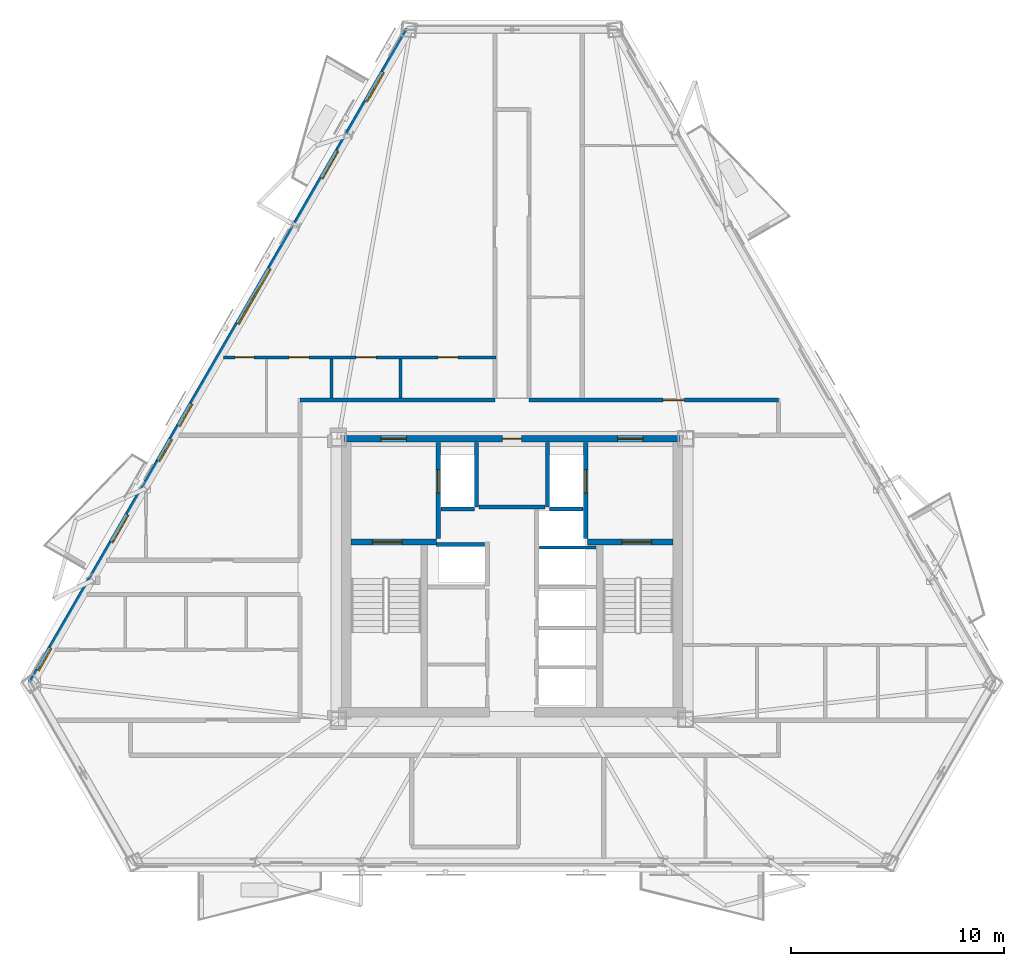
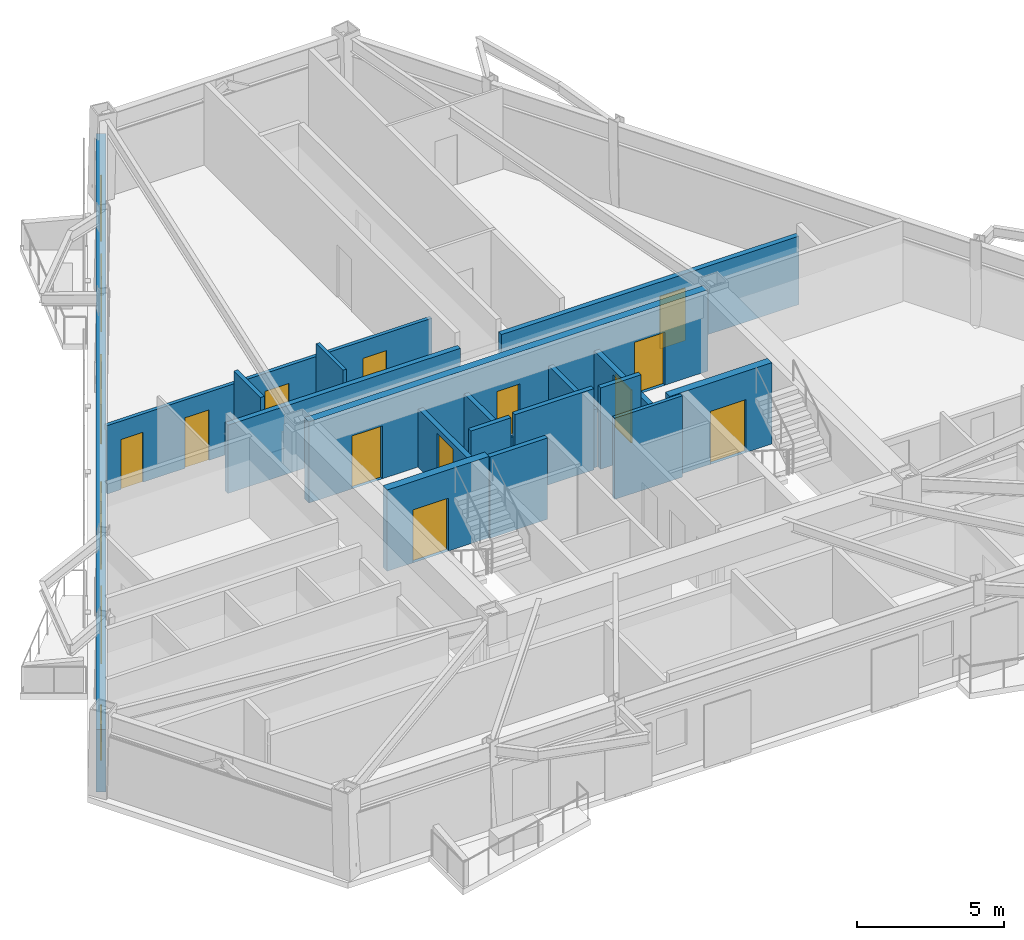
# One storey, part 4 of 9: 18 walls, 14 doors, 5 windows, 19 openings.
"""IFC4 building model written with IfcOpenShell, lengths in metres."""

from ifc_helpers import new_model, si_unit, direction, frame, frame_2d, origin, place, context, subcontext, project, spatial, rectangle, extrude, material, layer, layer_set, type_object, element, fill, save


model = new_model("IFC4")

# Units and contexts
model_context = context("Model", 3, precision=1e-05, world=origin(), true_north=direction((0.0, 1.0)))
body_context = subcontext(model_context, "Body", "Model", "MODEL_VIEW")
ifc_project = project(units=[si_unit("LENGTHUNIT", "METRE"), si_unit("AREAUNIT", "SQUARE_METRE"), si_unit("VOLUMEUNIT", "CUBIC_METRE"), si_unit("PLANEANGLEUNIT", "RADIAN"), si_unit("MASSUNIT", "GRAM", prefix="KILO")], contexts=[model_context])

# Site, building, storey
site_placement = place(None, origin())
site = spatial("IfcSite", under=ifc_project, at=site_placement, CompositionType="ELEMENT")
building_placement = place(site_placement, origin())
building = spatial("IfcBuilding", under=site, at=building_placement, Name="Oramaril Tower", CompositionType="ELEMENT")
storey_placement = place(building_placement, frame((0.0, 0.0, 145.800048828125)))
storey = spatial("IfcBuildingStorey", under=building, at=storey_placement, Name="L38", CompositionType="ELEMENT", Elevation=145.800048828125)

# Wall, openings, doors, windows
ifc_material_1 = material(Name="Warm Cream Limestone", Category="masonry")
ifc_layer_1 = layer(ifc_material_1, 0.340087890625)
ifc_layer_set_1 = layer_set([ifc_layer_1], Name="WT-EXT34")
wall_type_1 = type_object("IfcWallType", Name="WT-EXT34", PredefinedType="SOLIDWALL", material=ifc_layer_set_1)
wall_1_placement = place(storey_placement, frame((32.6494140625, 43.3408203125, 0.0), z_axis=(0.0, 0.0, 1.0), x_axis=(-0.500002412417, -0.86602401097, 0.0)))
wall_1 = element("IfcWall", 1, at=wall_1_placement, inside=storey, type_object=wall_type_1, Name="L38 Tower Limestone Facade Wall 6M", PredefinedType="SOLIDWALL", context=body_context, shape_type="SweptSolid", body=[
    extrude(rectangle(XDim=35.403564453125, YDim=0.340087890625, at=frame_2d((17.70166015625, 0.0))), origin(), (0.0, 0.0, 1.0), 2.599853515625),
])
opening_1_placement = place(wall_1_placement, frame((6.579345703125, 0.0, 0.0)))
opening_1 = element("IfcOpeningElement", 2, at=opening_1_placement, cuts=wall_1, Name="Opening D-L38-BAL-NW1", PredefinedType="OPENING", context=body_context, shape_type="SweptSolid", body=[
    extrude(rectangle(XDim=1.5, YDim=2.199951171875, at=frame_2d((0.75, 1.10009765625))), frame((0.0, 0.169921875, 0.0), z_axis=(0.0, -1.0, 0.0), x_axis=(1.0, 0.0, 0.0)), (0.0, 0.0, 1.0), 0.340087890625),
])
opening_2_placement = place(wall_1_placement, frame((26.2890625, 0.0, 0.0)))
opening_2 = element("IfcOpeningElement", 3, at=opening_2_placement, cuts=wall_1, Name="Opening D-L38-BAL-NW2", PredefinedType="OPENING", context=body_context, shape_type="SweptSolid", body=[
    extrude(rectangle(XDim=1.5, YDim=2.199951171875, at=frame_2d((0.75, 1.10009765625))), frame((0.0, 0.169921875, 0.0), z_axis=(0.0, -1.0, 0.0), x_axis=(1.0, 0.0, 0.0)), (0.0, 0.0, 1.0), 0.340087890625),
])
opening_3_placement = place(wall_1_placement, frame((22.1943359375, 0.0, 0.85009765625)))
opening_3 = element("IfcOpeningElement", 4, at=opening_3_placement, cuts=wall_1, Name="Opening WN-09", PredefinedType="OPENING", context=body_context, shape_type="SweptSolid", body=[
    extrude(rectangle(XDim=1.199951171875, YDim=1.47998046875, at=frame_2d((0.60009765625, 0.739990234375))), frame((0.0, 0.169921875, 0.0), z_axis=(0.0, -1.0, 0.0), x_axis=(1.0, 0.0, 0.0)), (0.0, 0.0, 1.0), 0.340087890625),
])
opening_4_placement = place(wall_1_placement, frame((2.31689453125, 0.0, 0.85009765625)))
opening_4 = element("IfcOpeningElement", 5, at=opening_4_placement, cuts=wall_1, Name="Opening WN-07", PredefinedType="OPENING", context=body_context, shape_type="SweptSolid", body=[
    extrude(rectangle(XDim=1.60009765625, YDim=1.639892578125, at=frame_2d((0.800048828125, 0.81982421875))), frame((0.0, 0.169921875, 0.0), z_axis=(0.0, -1.0, 0.0), x_axis=(1.0, 0.0, 0.0)), (0.0, 0.0, 1.0), 0.340087890625),
])
opening_5_placement = place(wall_1_placement, frame((12.951171875, 0.0, 0.85009765625)))
opening_5 = element("IfcOpeningElement", 6, at=opening_5_placement, cuts=wall_1, Name="Opening WN-10", PredefinedType="OPENING", context=body_context, shape_type="SweptSolid", body=[
    extrude(rectangle(XDim=3.0, YDim=1.639892578125, at=frame_2d((1.5, 0.81982421875))), frame((0.0, 0.169921875, 0.0), z_axis=(0.0, -1.0, 0.0), x_axis=(1.0, 0.0, 0.0)), (0.0, 0.0, 1.0), 0.340087890625),
])
opening_6_placement = place(wall_1_placement, frame((20.2822265625, 0.0, 0.85009765625)))
opening_6 = element("IfcOpeningElement", 7, at=opening_6_placement, cuts=wall_1, Name="Opening WN-09", PredefinedType="OPENING", context=body_context, shape_type="SweptSolid", body=[
    extrude(rectangle(XDim=1.199951171875, YDim=1.47998046875, at=frame_2d((0.60009765625, 0.739990234375))), frame((0.0, 0.169921875, 0.0), z_axis=(0.0, -1.0, 0.0), x_axis=(1.0, 0.0, 0.0)), (0.0, 0.0, 1.0), 0.340087890625),
])
opening_7_placement = place(wall_1_placement, frame((33.52392578125, 0.0, 0.85009765625)))
opening_7 = element("IfcOpeningElement", 8, at=opening_7_placement, cuts=wall_1, Name="Opening WN-09", PredefinedType="OPENING", context=body_context, shape_type="SweptSolid", body=[
    extrude(rectangle(XDim=1.199951171875, YDim=1.47998046875, at=frame_2d((0.60009765625, 0.739990234375))), frame((0.0, 0.169921875, 0.0), z_axis=(0.0, -1.0, 0.0), x_axis=(1.0, 0.0, 0.0)), (0.0, 0.0, 1.0), 0.340087890625),
])
ifc_material_2 = material(Name="Anodised Aluminium 6063-T6", Category="aluminium")
door_type_1 = type_object("IfcDoorType", Name="DT-BAL", OperationType="NOTDEFINED", PredefinedType="DOOR", material=ifc_material_2)
door_1_placement = place(opening_1_placement, origin())
door_1 = element("IfcDoor", 9, at=door_1_placement, inside=storey, type_object=door_type_1, Name="L38 Balcony Glazed Door L38-BAL-NW1", OperationType="SINGLE_SWING_LEFT", OverallHeight=2.199951171875, OverallWidth=1.5, PredefinedType="DOOR", context=body_context, shape_type="SweptSolid", body=[
    extrude(rectangle(XDim=1.5, YDim=2.199951171875, at=frame_2d((0.75, 1.10009765625))), frame((0.0, 0.02490234375, 0.0), z_axis=(0.0, -1.0, 0.0), x_axis=(1.0, 0.0, 0.0)), (0.0, 0.0, 1.0), 0.050048828125),
])
fill(opening_1, door_1)
door_2_placement = place(opening_2_placement, origin())
door_2 = element("IfcDoor", 10, at=door_2_placement, inside=storey, type_object=door_type_1, Name="L38 Balcony Glazed Door L38-BAL-NW2", OperationType="SINGLE_SWING_RIGHT", OverallHeight=2.199951171875, OverallWidth=1.5, PredefinedType="DOOR", context=body_context, shape_type="SweptSolid", body=[
    extrude(rectangle(XDim=1.5, YDim=2.199951171875, at=frame_2d((0.75, 1.10009765625))), frame((0.0, 0.02490234375, 0.0), z_axis=(0.0, -1.0, 0.0), x_axis=(1.0, 0.0, 0.0)), (0.0, 0.0, 1.0), 0.050048828125),
])
fill(opening_2, door_2)
ifc_material_3 = material(Name="Coastal Low-E Insulated Glass", Category="glass")
window_type_1 = type_object("IfcWindowType", Name="WNT-07", PartitioningType="SINGLE_PANEL", PredefinedType="WINDOW", material=ifc_material_3)
window_1_placement = place(opening_4_placement, origin())
window_1 = element("IfcWindow", 11, at=window_1_placement, inside=storey, type_object=window_type_1, Name="L38 Chicago Bay Window WN-07", OverallHeight=1.639892578125, OverallWidth=1.60009765625, PartitioningType="SINGLE_PANEL", PredefinedType="WINDOW", context=body_context, shape_type="SweptSolid", body=[
    extrude(rectangle(XDim=1.60009765625, YDim=1.639892578125, at=frame_2d((0.800048828125, 0.81982421875))), frame((0.0, 0.030029296875, 0.0), z_axis=(0.0, -1.0, 0.0), x_axis=(1.0, 0.0, 0.0)), (0.0, 0.0, 1.0), 0.06005859375),
])
fill(opening_4, window_1)
ifc_material_4 = material(Name="Coastal Low-E Insulated Glass", Category="glass")
window_type_2 = type_object("IfcWindowType", Name="WNT-09", PartitioningType="SINGLE_PANEL", PredefinedType="WINDOW", material=ifc_material_4)
window_2_placement = place(opening_3_placement, origin())
window_2 = element("IfcWindow", 12, at=window_2_placement, inside=storey, type_object=window_type_2, Name="L38 Chicago Bay Window WN-09", OverallHeight=1.47998046875, OverallWidth=1.199951171875, PartitioningType="SINGLE_PANEL", PredefinedType="WINDOW", context=body_context, shape_type="SweptSolid", body=[
    extrude(rectangle(XDim=1.199951171875, YDim=1.47998046875, at=frame_2d((0.60009765625, 0.739990234375))), frame((0.0, 0.030029296875, 0.0), z_axis=(0.0, -1.0, 0.0), x_axis=(1.0, 0.0, 0.0)), (0.0, 0.0, 1.0), 0.06005859375),
])
fill(opening_3, window_2)
window_3_placement = place(opening_6_placement, origin())
window_3 = element("IfcWindow", 13, at=window_3_placement, inside=storey, type_object=window_type_2, Name="L38 Chicago Bay Window WN-09", OverallHeight=1.47998046875, OverallWidth=1.199951171875, PartitioningType="SINGLE_PANEL", PredefinedType="WINDOW", context=body_context, shape_type="SweptSolid", body=[
    extrude(rectangle(XDim=1.199951171875, YDim=1.47998046875, at=frame_2d((0.60009765625, 0.739990234375))), frame((0.0, 0.030029296875, 0.0), z_axis=(0.0, -1.0, 0.0), x_axis=(1.0, 0.0, 0.0)), (0.0, 0.0, 1.0), 0.06005859375),
])
fill(opening_6, window_3)
window_4_placement = place(opening_7_placement, origin())
window_4 = element("IfcWindow", 14, at=window_4_placement, inside=storey, type_object=window_type_2, Name="L38 Apartment Bedroom Window WN-09", OverallHeight=1.47998046875, OverallWidth=1.199951171875, PartitioningType="SINGLE_PANEL", PredefinedType="WINDOW", context=body_context, shape_type="SweptSolid", body=[
    extrude(rectangle(XDim=1.199951171875, YDim=1.47998046875, at=frame_2d((0.60009765625, 0.739990234375))), frame((0.0, 0.030029296875, 0.0), z_axis=(0.0, -1.0, 0.0), x_axis=(1.0, 0.0, 0.0)), (0.0, 0.0, 1.0), 0.06005859375),
])
fill(opening_7, window_4)
ifc_material_5 = material(Name="Coastal Low-E Insulated Glass", Category="glass")
window_type_3 = type_object("IfcWindowType", Name="WNT-10", PartitioningType="SINGLE_PANEL", PredefinedType="WINDOW", material=ifc_material_5)
window_5_placement = place(opening_5_placement, origin())
window_5 = element("IfcWindow", 15, at=window_5_placement, inside=storey, type_object=window_type_3, Name="L38 Chicago Bay Window WN-10", OverallHeight=1.639892578125, OverallWidth=3.0, PartitioningType="SINGLE_PANEL", PredefinedType="WINDOW", context=body_context, shape_type="SweptSolid", body=[
    extrude(rectangle(XDim=3.0, YDim=1.639892578125, at=frame_2d((1.5, 0.81982421875))), frame((0.0, 0.030029296875, 0.0), z_axis=(0.0, -1.0, 0.0), x_axis=(1.0, 0.0, 0.0)), (0.0, 0.0, 1.0), 0.06005859375),
])
fill(opening_5, window_5)

# Wall
ifc_material_6 = material(Name="Acoustic Gypsum Board Partition")
ifc_layer_2 = layer(ifc_material_6, 0.139892578125)
ifc_layer_set_2 = layer_set([ifc_layer_2], Name="WT-PT14")
wall_type_2 = type_object("IfcWallType", Name="WT-PT14", PredefinedType="PARTITIONING", material=ifc_layer_set_2)
wall_2_placement = place(storey_placement, frame((38.780029296875, 19.050048828125, 0.0), z_axis=(0.0, 0.0, 1.0), x_axis=(1.0, 0.0, 0.0)))
element("IfcWall", 16, at=wall_2_placement, inside=storey, type_object=wall_type_2, Name="L38 East Lift Divider", PredefinedType="PARTITIONING", context=body_context, shape_type="SweptSolid", body=[
    extrude(rectangle(XDim=2.659912109375, YDim=0.139892578125, at=frame_2d((1.330078125, 0.0))), origin(), (0.0, 0.0, 1.0), 3.3798828125),
])

# Wall, openings, doors
wall_3_placement = place(storey_placement, frame((23.975830078125, 27.969970703125, 0.0), z_axis=(0.0, 0.0, 1.0), x_axis=(1.0, 0.0, 0.0)))
wall_3 = element("IfcWall", 17, at=wall_3_placement, inside=storey, type_object=wall_type_2, Name="L38 Interior Partition PT-14", PredefinedType="PARTITIONING", context=body_context, shape_type="SweptSolid", body=[
    extrude(rectangle(XDim=12.774169921875, YDim=0.139892578125, at=frame_2d((6.38720703125, 0.0))), origin(), (0.0, 0.0, 1.0), 2.842041015625),
])
opening_8_placement = place(wall_3_placement, frame((0.533203125, 0.0, 0.0)))
opening_8 = element("IfcOpeningElement", 18, at=opening_8_placement, cuts=wall_3, Name="Opening D-L38-16", PredefinedType="OPENING", context=body_context, shape_type="SweptSolid", body=[
    extrude(rectangle(XDim=0.8798828125, YDim=2.080078125, at=frame_2d((0.43994140625, 1.0400390625))), frame((0.0, 0.06982421875, 0.0), z_axis=(0.0, -1.0, 0.0), x_axis=(1.0, 0.0, 0.0)), (0.0, 0.0, 1.0), 0.139892578125),
])
opening_9_placement = place(wall_3_placement, frame((3.05419921875, 0.0, 0.0)))
opening_9 = element("IfcOpeningElement", 19, at=opening_9_placement, cuts=wall_3, Name="Opening D-L38-17", PredefinedType="OPENING", context=body_context, shape_type="SweptSolid", body=[
    extrude(rectangle(XDim=0.949951171875, YDim=2.10009765625, at=frame_2d((0.47509765625, 1.050048828125))), frame((0.0, 0.06982421875, 0.0), z_axis=(0.0, -1.0, 0.0), x_axis=(1.0, 0.0, 0.0)), (0.0, 0.0, 1.0), 0.139892578125),
])
opening_10_placement = place(wall_3_placement, frame((6.1962890625, 0.0, 0.0)))
opening_10 = element("IfcOpeningElement", 20, at=opening_10_placement, cuts=wall_3, Name="Opening D-L38-18", PredefinedType="OPENING", context=body_context, shape_type="SweptSolid", body=[
    extrude(rectangle(XDim=0.949951171875, YDim=2.10009765625, at=frame_2d((0.47509765625, 1.050048828125))), frame((0.0, 0.06982421875, 0.0), z_axis=(0.0, -1.0, 0.0), x_axis=(1.0, 0.0, 0.0)), (0.0, 0.0, 1.0), 0.139892578125),
])
opening_11_placement = place(wall_3_placement, frame((10.061279296875, 0.0, 0.0)))
opening_11 = element("IfcOpeningElement", 21, at=opening_11_placement, cuts=wall_3, Name="Opening D-L38-19", PredefinedType="OPENING", context=body_context, shape_type="SweptSolid", body=[
    extrude(rectangle(XDim=0.919921875, YDim=2.1201171875, at=frame_2d((0.4599609375, 1.06005859375))), frame((0.0, 0.06982421875, 0.0), z_axis=(0.0, -1.0, 0.0), x_axis=(1.0, 0.0, 0.0)), (0.0, 0.0, 1.0), 0.139892578125),
])
ifc_material_7 = material(Name="FSC Brazilian Freijo Hardwood", Category="wood")
door_type_2 = type_object("IfcDoorType", Name="DT-BATH", OperationType="NOTDEFINED", PredefinedType="DOOR", material=ifc_material_7)
door_3_placement = place(opening_8_placement, origin())
door_3 = element("IfcDoor", 22, at=door_3_placement, inside=storey, type_object=door_type_2, Name="L38 Flat L38-U6 Bathroom Door D-L38-16", OperationType="SINGLE_SWING_RIGHT", OverallHeight=2.080078125, OverallWidth=0.8798828125, PredefinedType="DOOR", context=body_context, shape_type="SweptSolid", body=[
    extrude(rectangle(XDim=0.8798828125, YDim=2.080078125, at=frame_2d((0.43994140625, 1.0400390625))), frame((0.0, 0.02490234375, 0.0), z_axis=(0.0, -1.0, 0.0), x_axis=(1.0, 0.0, 0.0)), (0.0, 0.0, 1.0), 0.050048828125),
])
fill(opening_8, door_3)
ifc_material_8 = material(Name="FSC Brazilian Freijo Hardwood", Category="wood")
door_type_3 = type_object("IfcDoorType", Name="DT-BED", OperationType="NOTDEFINED", PredefinedType="DOOR", material=ifc_material_8)
door_4_placement = place(opening_11_placement, origin())
door_4 = element("IfcDoor", 23, at=door_4_placement, inside=storey, type_object=door_type_3, Name="L38 Flat L38-U6 Master Bedroom Door D-L38-19", OperationType="SINGLE_SWING_LEFT", OverallHeight=2.1201171875, OverallWidth=0.919921875, PredefinedType="DOOR", context=body_context, shape_type="SweptSolid", body=[
    extrude(rectangle(XDim=0.919921875, YDim=2.1201171875, at=frame_2d((0.4599609375, 1.06005859375))), frame((0.0, 0.02490234375, 0.0), z_axis=(0.0, -1.0, 0.0), x_axis=(1.0, 0.0, 0.0)), (0.0, 0.0, 1.0), 0.050048828125),
])
fill(opening_11, door_4)
ifc_material_9 = material(Name="FSC Brazilian Freijo Hardwood", Category="wood")
door_type_4 = type_object("IfcDoorType", Name="DT-STDY", OperationType="NOTDEFINED", PredefinedType="DOOR", material=ifc_material_9)
door_5_placement = place(opening_9_placement, origin())
door_5 = element("IfcDoor", 24, at=door_5_placement, inside=storey, type_object=door_type_4, Name="L38 Flat L38-U6 Kitchen Door D-L38-17", OperationType="SINGLE_SWING_LEFT", OverallHeight=2.10009765625, OverallWidth=0.949951171875, PredefinedType="DOOR", context=body_context, shape_type="SweptSolid", body=[
    extrude(rectangle(XDim=0.949951171875, YDim=2.10009765625, at=frame_2d((0.47509765625, 1.050048828125))), frame((0.0, 0.02490234375, 0.0), z_axis=(0.0, -1.0, 0.0), x_axis=(1.0, 0.0, 0.0)), (0.0, 0.0, 1.0), 0.050048828125),
])
fill(opening_9, door_5)
door_6_placement = place(opening_10_placement, origin())
door_6 = element("IfcDoor", 25, at=door_6_placement, inside=storey, type_object=door_type_4, Name="L38 Flat L38-U6 Home Office Door D-L38-18", OperationType="SINGLE_SWING_RIGHT", OverallHeight=2.10009765625, OverallWidth=0.949951171875, PredefinedType="DOOR", context=body_context, shape_type="SweptSolid", body=[
    extrude(rectangle(XDim=0.949951171875, YDim=2.10009765625, at=frame_2d((0.47509765625, 1.050048828125))), frame((0.0, 0.02490234375, 0.0), z_axis=(0.0, -1.0, 0.0), x_axis=(1.0, 0.0, 0.0)), (0.0, 0.0, 1.0), 0.050048828125),
])
fill(opening_10, door_6)

# Walls
wall_4_placement = place(storey_placement, frame((32.260009765625, 26.073974609375, 0.0), z_axis=(0.0, 0.0, 1.0), x_axis=(0.0, 1.0, 0.0)))
element("IfcWall", 26, at=wall_4_placement, inside=storey, type_object=wall_type_2, Name="L38 Interior Partition PT-14", PredefinedType="PARTITIONING", context=body_context, shape_type="SweptSolid", body=[
    extrude(rectangle(XDim=1.822021484375, YDim=0.139892578125, at=frame_2d((0.9111328125, 0.0))), origin(), (0.0, 0.0, 1.0), 3.3798828125),
])
ifc_material_10 = material(Name="Acoustic Gypsum Board Partition")
ifc_layer_3 = layer(ifc_material_10, 0.159912109375)
ifc_layer_set_3 = layer_set([ifc_layer_3], Name="WT-PT16")
wall_type_3 = type_object("IfcWallType", Name="WT-PT16", PredefinedType="PARTITIONING", material=ifc_layer_set_3)
wall_5_placement = place(storey_placement, frame((29.030029296875, 26.073974609375, 0.0), z_axis=(0.0, 0.0, 1.0), x_axis=(0.0, 1.0, 0.0)))
element("IfcWall", 27, at=wall_5_placement, inside=storey, type_object=wall_type_3, Name="L38 Interior Partition PT-16", PredefinedType="PARTITIONING", context=body_context, shape_type="SweptSolid", body=[
    extrude(rectangle(XDim=1.822021484375, YDim=0.159912109375, at=frame_2d((0.9111328125, 0.0))), origin(), (0.0, 0.0, 1.0), 3.3798828125),
])
ifc_material_11 = material(Name="Autoclaved Cellular Concrete Block", Category="concrete")
ifc_layer_4 = layer(ifc_material_11, 0.179931640625)
ifc_layer_set_4 = layer_set([ifc_layer_4], Name="WT-PT18")
wall_type_4 = type_object("IfcWallType", Name="WT-PT18", PredefinedType="PARTITIONING", material=ifc_layer_set_4)
wall_6_placement = place(storey_placement, frame((35.840087890625, 20.9599609375, 0.0), z_axis=(0.0, 0.0, 1.0), x_axis=(0.0, 1.0, 0.0)))
element("IfcWall", 28, at=wall_6_placement, inside=storey, type_object=wall_type_4, Name="L38 FL-1 East Shaft Wall", PredefinedType="PARTITIONING", context=body_context, shape_type="SweptSolid", body=[
    extrude(rectangle(XDim=3.02001953125, YDim=0.179931640625, at=frame_2d((1.510009765625, 0.0))), origin(), (0.0, 0.0, 1.0), 2.419921875),
])
wall_7_placement = place(storey_placement, frame((34.159912109375, 20.860107421875, 0.0), z_axis=(0.0, 0.0, 1.0), x_axis=(1.0, 0.0, 0.0)))
element("IfcWall", 29, at=wall_7_placement, inside=storey, type_object=wall_type_4, Name="L38 FL-1 South Shaft Wall", PredefinedType="PARTITIONING", context=body_context, shape_type="SweptSolid", body=[
    extrude(rectangle(XDim=1.580078125, YDim=0.179931640625, at=frame_2d((0.7900390625, 0.0))), origin(), (0.0, 0.0, 1.0), 3.3798828125),
])
wall_8_placement = place(storey_placement, frame((39.159912109375, 20.9599609375, 0.0), z_axis=(0.0, 0.0, 1.0), x_axis=(0.0, 1.0, 0.0)))
element("IfcWall", 30, at=wall_8_placement, inside=storey, type_object=wall_type_4, Name="L38 FL-2 West Shaft Wall", PredefinedType="PARTITIONING", context=body_context, shape_type="SweptSolid", body=[
    extrude(rectangle(XDim=3.02001953125, YDim=0.179931640625, at=frame_2d((1.510009765625, 0.0))), origin(), (0.0, 0.0, 1.0), 2.419921875),
])
wall_9_placement = place(storey_placement, frame((39.260009765625, 20.860107421875, 0.0), z_axis=(0.0, 0.0, 1.0), x_axis=(1.0, 0.0, 0.0)))
element("IfcWall", 31, at=wall_9_placement, inside=storey, type_object=wall_type_4, Name="L38 FL-2 South Shaft Wall", PredefinedType="PARTITIONING", context=body_context, shape_type="SweptSolid", body=[
    extrude(rectangle(XDim=1.580078125, YDim=0.179931640625, at=frame_2d((0.7900390625, 0.0))), origin(), (0.0, 0.0, 1.0), 3.3798828125),
])
wall_10_placement = place(storey_placement, frame((33.949951171875, 19.199951171875, 0.0), z_axis=(0.0, 0.0, 1.0), x_axis=(1.0, 0.0, 0.0)))
element("IfcWall", 32, at=wall_10_placement, inside=storey, type_object=wall_type_4, Name="L38 High-Rise Lift H1 North Shaft Wall", PredefinedType="PARTITIONING", context=body_context, shape_type="SweptSolid", body=[
    extrude(rectangle(XDim=2.27001953125, YDim=0.179931640625, at=frame_2d((1.135009765625, 0.0))), origin(), (0.0, 0.0, 1.0), 3.3798828125),
])
wall_11_placement = place(storey_placement, frame((35.949951171875, 20.949951171875, 0.0), z_axis=(0.0, 0.0, 1.0), x_axis=(1.0, 0.0, 0.0)))
element("IfcWall", 33, at=wall_11_placement, inside=storey, type_object=wall_type_4, Name="L38 Lift Lobby North Partition", PredefinedType="PARTITIONING", context=body_context, shape_type="SweptSolid", body=[
    extrude(rectangle(XDim=3.10009765625, YDim=0.179931640625, at=frame_2d((1.550048828125, 0.0))), origin(), (0.0, 0.0, 1.0), 3.3798828125),
])
ifc_material_12 = material(Name="Autoclaved Cellular Concrete Block", Category="concrete")
ifc_layer_5 = layer(ifc_material_12, 0.199951171875)
ifc_layer_set_5 = layer_set([ifc_layer_5], Name="WT-PT20")
wall_type_5 = type_object("IfcWallType", Name="WT-PT20", PredefinedType="PARTITIONING", material=ifc_layer_set_5)
wall_12_placement = place(storey_placement, frame((27.550048828125, 25.969970703125, 0.0), z_axis=(0.0, 0.0, 1.0), x_axis=(1.0, 0.0, 0.0)))
element("IfcWall", 34, at=wall_12_placement, inside=storey, type_object=wall_type_5, Name="L38 Interior Partition PT-20", PredefinedType="PARTITIONING", context=body_context, shape_type="SweptSolid", body=[
    extrude(rectangle(XDim=9.14990234375, YDim=0.199951171875, at=frame_2d((4.574951171875, 0.0))), origin(), (0.0, 0.0, 1.0), 2.842041015625),
])

# Wall, opening, door
wall_13_placement = place(storey_placement, frame((38.300048828125, 25.969970703125, 0.0), z_axis=(0.0, 0.0, 1.0), x_axis=(1.0, 0.0, 0.0)))
wall_13 = element("IfcWall", 35, at=wall_13_placement, inside=storey, type_object=wall_type_5, Name="L38 Interior Partition PT-20", PredefinedType="PARTITIONING", context=body_context, shape_type="SweptSolid", body=[
    extrude(rectangle(XDim=11.699951171875, YDim=0.199951171875, at=frame_2d((5.85009765625, 0.0))), origin(), (0.0, 0.0, 1.0), 2.842041015625),
])
opening_12_placement = place(wall_13_placement, frame((6.2841796875, 0.0, 0.0)))
opening_12 = element("IfcOpeningElement", 36, at=opening_12_placement, cuts=wall_13, Name="Opening D-L38-15", PredefinedType="OPENING", context=body_context, shape_type="SweptSolid", body=[
    extrude(rectangle(XDim=1.0, YDim=2.179931640625, at=frame_2d((0.5, 1.08984375))), frame((0.0, 0.10009765625, 0.0), z_axis=(0.0, -1.0, 0.0), x_axis=(1.0, 0.0, 0.0)), (0.0, 0.0, 1.0), 0.199951171875),
])
ifc_material_13 = material(Name="FSC Brazilian Freijo Hardwood", Category="wood")
door_type_5 = type_object("IfcDoorType", Name="DT-APT", OperationType="NOTDEFINED", PredefinedType="DOOR", material=ifc_material_13)
door_7_placement = place(opening_12_placement, origin())
door_7 = element("IfcDoor", 37, at=door_7_placement, inside=storey, type_object=door_type_5, Name="L38 Flat L38-U8 Kitchen and Studio Apartment Door D-L38-15", OperationType="SINGLE_SWING_LEFT", OverallHeight=2.179931640625, OverallWidth=1.0, PredefinedType="DOOR", context=body_context, shape_type="SweptSolid", body=[
    extrude(rectangle(XDim=1.0, YDim=2.179931640625, at=frame_2d((0.5, 1.08984375))), frame((0.0, 0.02490234375, 0.0), z_axis=(0.0, -1.0, 0.0), x_axis=(1.0, 0.0, 0.0)), (0.0, 0.0, 1.0), 0.050048828125),
])
fill(opening_12, door_7)

# Wall, openings, doors
ifc_material_14 = material(Name="Concrete C50/60", Category="concrete")
ifc_layer_6 = layer(ifc_material_14, 0.300048828125)
ifc_layer_set_6 = layer_set([ifc_layer_6], Name="WT-SH30")
wall_type_6 = type_object("IfcWallType", Name="WT-SH30", PredefinedType="SHEAR", material=ifc_layer_set_6)
wall_14_placement = place(storey_placement, frame((29.64990234375, 24.14990234375, 0.0), z_axis=(0.0, 0.0, 1.0), x_axis=(1.0, 0.0, 0.0)))
wall_14 = element("IfcWall", 38, at=wall_14_placement, inside=storey, type_object=wall_type_6, Name="L38 Core Shear Wall CW-N", PredefinedType="SHEAR", context=body_context, shape_type="SweptSolid", body=[
    extrude(rectangle(XDim=15.7001953125, YDim=0.300048828125, at=frame_2d((7.85009765625, 0.0))), origin(), (0.0, 0.0, 1.0), 3.3798828125),
])
opening_13_placement = place(wall_14_placement, frame((1.699951171875, 0.0, 0.0)))
opening_13 = element("IfcOpeningElement", 39, at=opening_13_placement, cuts=wall_14, Name="Opening D-L38-FFL1", PredefinedType="OPENING", context=body_context, shape_type="SweptSolid", body=[
    extrude(rectangle(XDim=1.199951171875, YDim=2.199951171875, at=frame_2d((0.60009765625, 1.10009765625))), frame((0.0, 0.14990234375, 0.0), z_axis=(0.0, -1.0, 0.0), x_axis=(1.0, 0.0, 0.0)), (0.0, 0.0, 1.0), 0.300048828125),
])
opening_14_placement = place(wall_14_placement, frame((12.800048828125, 0.0, 0.0)))
opening_14 = element("IfcOpeningElement", 40, at=opening_14_placement, cuts=wall_14, Name="Opening D-L38-FFL2", PredefinedType="OPENING", context=body_context, shape_type="SweptSolid", body=[
    extrude(rectangle(XDim=1.199951171875, YDim=2.199951171875, at=frame_2d((0.60009765625, 1.10009765625))), frame((0.0, 0.14990234375, 0.0), z_axis=(0.0, -1.0, 0.0), x_axis=(1.0, 0.0, 0.0)), (0.0, 0.0, 1.0), 0.300048828125),
])
opening_15_placement = place(wall_14_placement, frame((7.39990234375, 0.0, 0.0)))
opening_15 = element("IfcOpeningElement", 41, at=opening_15_placement, cuts=wall_14, Name="Opening D-L38-SV1", PredefinedType="OPENING", context=body_context, shape_type="SweptSolid", body=[
    extrude(rectangle(XDim=0.89990234375, YDim=2.050048828125, at=frame_2d((0.449951171875, 1.02490234375))), frame((0.0, 0.14990234375, 0.0), z_axis=(0.0, -1.0, 0.0), x_axis=(1.0, 0.0, 0.0)), (0.0, 0.0, 1.0), 0.300048828125),
])
ifc_material_15 = material(Name="Painted Galvanised Steel", Category="steel")
door_type_6 = type_object("IfcDoorType", Name="DT-FFL", OperationType="NOTDEFINED", PredefinedType="DOOR", material=ifc_material_15)
door_8_placement = place(opening_13_placement, origin())
door_8 = element("IfcDoor", 42, at=door_8_placement, inside=storey, type_object=door_type_6, Name="L38 Firefighting Lobby 1 Fire Door", OperationType="SINGLE_SWING_LEFT", OverallHeight=2.199951171875, OverallWidth=1.199951171875, PredefinedType="DOOR", context=body_context, shape_type="SweptSolid", body=[
    extrude(rectangle(XDim=1.199951171875, YDim=2.199951171875, at=frame_2d((0.60009765625, 1.10009765625))), frame((0.0, 0.02490234375, 0.0), z_axis=(0.0, -1.0, 0.0), x_axis=(1.0, 0.0, 0.0)), (0.0, 0.0, 1.0), 0.050048828125),
])
fill(opening_13, door_8)
door_9_placement = place(opening_14_placement, origin())
door_9 = element("IfcDoor", 43, at=door_9_placement, inside=storey, type_object=door_type_6, Name="L38 Firefighting Lobby 2 Fire Door", OperationType="SINGLE_SWING_RIGHT", OverallHeight=2.199951171875, OverallWidth=1.199951171875, PredefinedType="DOOR", context=body_context, shape_type="SweptSolid", body=[
    extrude(rectangle(XDim=1.199951171875, YDim=2.199951171875, at=frame_2d((0.60009765625, 1.10009765625))), frame((0.0, 0.02490234375, 0.0), z_axis=(0.0, -1.0, 0.0), x_axis=(1.0, 0.0, 0.0)), (0.0, 0.0, 1.0), 0.050048828125),
])
fill(opening_14, door_9)
ifc_material_16 = material(Name="Painted Galvanised Steel", Category="steel")
door_type_7 = type_object("IfcDoorType", Name="DT-SVC", OperationType="NOTDEFINED", PredefinedType="DOOR", material=ifc_material_16)
door_10_placement = place(opening_15_placement, origin())
door_10 = element("IfcDoor", 44, at=door_10_placement, inside=storey, type_object=door_type_7, Name="L38 Core Janitor Store Door", OperationType="SINGLE_SWING_LEFT", OverallHeight=2.050048828125, OverallWidth=0.89990234375, PredefinedType="DOOR", context=body_context, shape_type="SweptSolid", body=[
    extrude(rectangle(XDim=0.89990234375, YDim=2.050048828125, at=frame_2d((0.449951171875, 1.02490234375))), frame((0.0, 0.02490234375, 0.0), z_axis=(0.0, -1.0, 0.0), x_axis=(1.0, 0.0, 0.0)), (0.0, 0.0, 1.0), 0.050048828125),
])
fill(opening_15, door_10)

# Wall, opening, door
wall_15_placement = place(storey_placement, frame((29.93994140625, 19.31005859375, 0.0), z_axis=(0.0, 0.0, 1.0), x_axis=(1.0, 0.0, 0.0)))
wall_15 = element("IfcWall", 45, at=wall_15_placement, inside=storey, type_object=wall_type_6, Name="L38 Core Shear Wall CW-ST1N", PredefinedType="SHEAR", context=body_context, shape_type="SweptSolid", body=[
    extrude(rectangle(XDim=4.010009765625, YDim=0.300048828125, at=frame_2d((2.0048828125, 0.0))), origin(), (0.0, 0.0, 1.0), 3.3798828125),
])
opening_16_placement = place(wall_15_placement, frame((1.010009765625, 0.0, 0.0)))
opening_16 = element("IfcOpeningElement", 46, at=opening_16_placement, cuts=wall_15, Name="Opening D-L38-ST1", PredefinedType="OPENING", context=body_context, shape_type="SweptSolid", body=[
    extrude(rectangle(XDim=1.39990234375, YDim=2.199951171875, at=frame_2d((0.699951171875, 1.10009765625))), frame((0.0, 0.14990234375, 0.0), z_axis=(0.0, -1.0, 0.0), x_axis=(1.0, 0.0, 0.0)), (0.0, 0.0, 1.0), 0.300048828125),
])
ifc_material_17 = material(Name="Painted Galvanised Steel", Category="steel")
door_type_8 = type_object("IfcDoorType", Name="DT-ST", OperationType="NOTDEFINED", PredefinedType="DOOR", material=ifc_material_17)
door_11_placement = place(opening_16_placement, origin())
door_11 = element("IfcDoor", 47, at=door_11_placement, inside=storey, type_object=door_type_8, Name="L38 Protected Stair ST-1 Fire Door", OperationType="SINGLE_SWING_LEFT", OverallHeight=2.199951171875, OverallWidth=1.39990234375, PredefinedType="DOOR", context=body_context, shape_type="SweptSolid", body=[
    extrude(rectangle(XDim=1.39990234375, YDim=2.199951171875, at=frame_2d((0.699951171875, 1.10009765625))), frame((0.0, 0.02490234375, 0.0), z_axis=(0.0, -1.0, 0.0), x_axis=(1.0, 0.0, 0.0)), (0.0, 0.0, 1.0), 0.050048828125),
])
fill(opening_16, door_11)

wall_16_placement = place(storey_placement, frame((41.050048828125, 19.31005859375, 0.0), z_axis=(0.0, 0.0, 1.0), x_axis=(1.0, 0.0, 0.0)))
wall_16 = element("IfcWall", 48, at=wall_16_placement, inside=storey, type_object=wall_type_6, Name="L38 Core Shear Wall CW-ST2N", PredefinedType="SHEAR", context=body_context, shape_type="SweptSolid", body=[
    extrude(rectangle(XDim=4.010009765625, YDim=0.300048828125, at=frame_2d((2.0048828125, 0.0))), origin(), (0.0, 0.0, 1.0), 3.3798828125),
])
opening_17_placement = place(wall_16_placement, frame((1.60009765625, 0.0, 0.0)))
opening_17 = element("IfcOpeningElement", 49, at=opening_17_placement, cuts=wall_16, Name="Opening D-L38-ST2", PredefinedType="OPENING", context=body_context, shape_type="SweptSolid", body=[
    extrude(rectangle(XDim=1.39990234375, YDim=2.199951171875, at=frame_2d((0.699951171875, 1.10009765625))), frame((0.0, 0.14990234375, 0.0), z_axis=(0.0, -1.0, 0.0), x_axis=(1.0, 0.0, 0.0)), (0.0, 0.0, 1.0), 0.300048828125),
])
door_12_placement = place(opening_17_placement, origin())
door_12 = element("IfcDoor", 50, at=door_12_placement, inside=storey, type_object=door_type_8, Name="L38 Protected Stair ST-2 Fire Door", OperationType="SINGLE_SWING_RIGHT", OverallHeight=2.199951171875, OverallWidth=1.39990234375, PredefinedType="DOOR", context=body_context, shape_type="SweptSolid", body=[
    extrude(rectangle(XDim=1.39990234375, YDim=2.199951171875, at=frame_2d((0.699951171875, 1.10009765625))), frame((0.0, 0.02490234375, 0.0), z_axis=(0.0, -1.0, 0.0), x_axis=(1.0, 0.0, 0.0)), (0.0, 0.0, 1.0), 0.050048828125),
])
fill(opening_17, door_12)

ifc_material_18 = material(Name="Autoclaved Cellular Concrete Block", Category="concrete")
ifc_layer_7 = layer(ifc_material_18, 0.199951171875)
ifc_layer_set_7 = layer_set([ifc_layer_7], Name="WT-SHF20")
wall_type_7 = type_object("IfcWallType", Name="WT-SHF20", PredefinedType="PARTITIONING", material=ifc_layer_set_7)
wall_17_placement = place(storey_placement, frame((34.0400390625, 19.47998046875, 0.0), z_axis=(0.0, 0.0, 1.0), x_axis=(0.0, 1.0, 0.0)))
wall_17 = element("IfcWall", 51, at=wall_17_placement, inside=storey, type_object=wall_type_7, Name="L38 FL-1 Lobby Shaft Wall", PredefinedType="PARTITIONING", context=body_context, shape_type="SweptSolid", body=[
    extrude(rectangle(XDim=4.5, YDim=0.199951171875, at=frame_2d((2.25, 0.0))), origin(), (0.0, 0.0, 1.0), 2.419921875),
])
opening_18_placement = place(wall_17_placement, frame((2.1201171875, 0.0, 0.0)))
opening_18 = element("IfcOpeningElement", 52, at=opening_18_placement, cuts=wall_17, Name="Opening LD-L38-FL-1", PredefinedType="OPENING", context=body_context, shape_type="SweptSolid", body=[
    extrude(rectangle(XDim=1.10009765625, YDim=2.199951171875, at=frame_2d((0.550048828125, 1.10009765625))), frame((0.0, 0.10009765625, 0.0), z_axis=(0.0, -1.0, 0.0), x_axis=(1.0, 0.0, 0.0)), (0.0, 0.0, 1.0), 0.199951171875),
])
ifc_material_19 = material(Name="Stainless Steel 316L", Category="steel")
door_type_9 = type_object("IfcDoorType", Name="DT-LD1", OperationType="NOTDEFINED", PredefinedType="DOOR", material=ifc_material_19)
door_13_placement = place(opening_18_placement, origin())
door_13 = element("IfcDoor", 53, at=door_13_placement, inside=storey, type_object=door_type_9, Name="L38 Lift FL-1 Sliding Landing Door", OperationType="SLIDING_TO_LEFT", OverallHeight=2.199951171875, OverallWidth=1.10009765625, PredefinedType="DOOR", context=body_context, shape_type="SweptSolid", body=[
    extrude(rectangle(XDim=1.10009765625, YDim=2.199951171875, at=frame_2d((0.550048828125, 1.10009765625))), frame((0.0, 0.02490234375, 0.0), z_axis=(0.0, -1.0, 0.0), x_axis=(1.0, 0.0, 0.0)), (0.0, 0.0, 1.0), 0.050048828125),
])
fill(opening_18, door_13)

wall_18_placement = place(storey_placement, frame((40.9599609375, 19.47998046875, 0.0), z_axis=(0.0, 0.0, 1.0), x_axis=(0.0, 1.0, 0.0)))
wall_18 = element("IfcWall", 54, at=wall_18_placement, inside=storey, type_object=wall_type_7, Name="L38 FL-2 Lobby Shaft Wall", PredefinedType="PARTITIONING", context=body_context, shape_type="SweptSolid", body=[
    extrude(rectangle(XDim=4.5, YDim=0.199951171875, at=frame_2d((2.25, 0.0))), origin(), (0.0, 0.0, 1.0), 2.419921875),
])
opening_19_placement = place(wall_18_placement, frame((2.1201171875, 0.0, 0.0)))
opening_19 = element("IfcOpeningElement", 55, at=opening_19_placement, cuts=wall_18, Name="Opening LD-L38-FL-2", PredefinedType="OPENING", context=body_context, shape_type="SweptSolid", body=[
    extrude(rectangle(XDim=1.10009765625, YDim=2.199951171875, at=frame_2d((0.550048828125, 1.10009765625))), frame((0.0, 0.10009765625, 0.0), z_axis=(0.0, -1.0, 0.0), x_axis=(1.0, 0.0, 0.0)), (0.0, 0.0, 1.0), 0.199951171875),
])
door_14_placement = place(opening_19_placement, origin())
door_14 = element("IfcDoor", 56, at=door_14_placement, inside=storey, type_object=door_type_9, Name="L38 Lift FL-2 Sliding Landing Door", OperationType="SLIDING_TO_RIGHT", OverallHeight=2.199951171875, OverallWidth=1.10009765625, PredefinedType="DOOR", context=body_context, shape_type="SweptSolid", body=[
    extrude(rectangle(XDim=1.10009765625, YDim=2.199951171875, at=frame_2d((0.550048828125, 1.10009765625))), frame((0.0, 0.02490234375, 0.0), z_axis=(0.0, -1.0, 0.0), x_axis=(1.0, 0.0, 0.0)), (0.0, 0.0, 1.0), 0.050048828125),
])
fill(opening_19, door_14)

save(model, "model.ifc")
